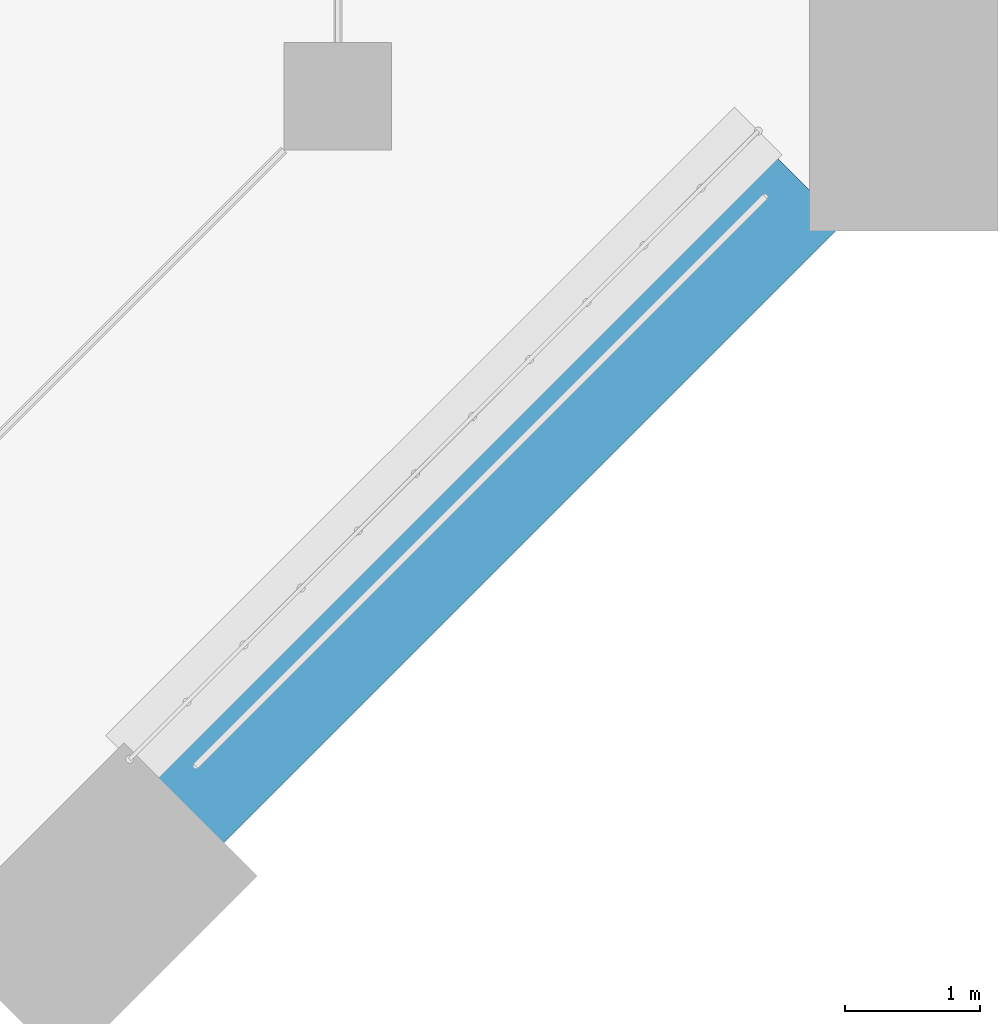
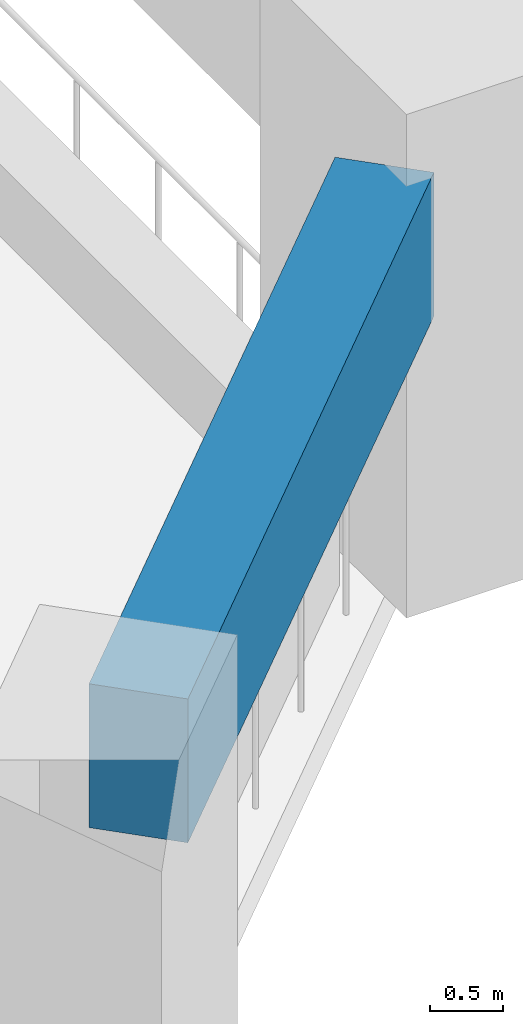
# One storey, part 5 of 20: 1 beam.
"""IFC4 building model written with IfcOpenShell, lengths in metres."""

from ifc_helpers import new_model, si_unit, direction, frame, origin, origin_2d, place, context, subcontext, project, spatial, rectangle, extrude, material, material_profile, profile_set, type_object, element, save


model = new_model("IFC4")

# Units and contexts
model_context = context("Model", 3, precision=1e-05, world=origin(), true_north=direction((0.0, 1.0)))
body_context = subcontext(model_context, "Body", "Model", "MODEL_VIEW")
ifc_project = project(units=[si_unit("LENGTHUNIT", "METRE"), si_unit("AREAUNIT", "SQUARE_METRE"), si_unit("VOLUMEUNIT", "CUBIC_METRE"), si_unit("PLANEANGLEUNIT", "RADIAN"), si_unit("MASSUNIT", "GRAM", prefix="KILO")], contexts=[model_context])

# Site, building, storey
site_placement = place(None, origin())
site = spatial("IfcSite", under=ifc_project, at=site_placement, CompositionType="ELEMENT")
building_placement = place(site_placement, origin())
building = spatial("IfcBuilding", under=site, at=building_placement, Name="Kawkab Arch Medical Tower", CompositionType="ELEMENT")
storey_placement = place(building_placement, frame((0.0, 0.0, 277.60009765625)))
storey = spatial("IfcBuildingStorey", under=building, at=storey_placement, Name="L64", CompositionType="ELEMENT", Elevation=277.60009765625)

# Beam
ifc_material = material(Name="Concrete C40/50", Category="concrete")
ifc_material_profile = material_profile(ifc_material, rectangle(XDim=0.699951171875, YDim=1.199951171875, at=origin_2d()), Name="RC 700x1200")
ifc_profile_set = profile_set([ifc_material_profile], Name="Concrete C40/50")
beam_type = type_object("IfcBeamType", Name="RC 700x1200 beam C40/50", PredefinedType="BEAM", material=ifc_profile_set)
beam_placement = place(storey_placement, frame((62.300048828125, -19.89990234375, 3.0), z_axis=(-0.707106781187, -0.707106781187, 0.0), x_axis=(0.707106781187, -0.707106781187, 0.0)))
element("IfcBeam", 1, at=beam_placement, inside=storey, type_object=beam_type, Name="Terrace frame beam TF-L64-2-L65-04", PredefinedType="BEAM", context=body_context, shape_type="SweptSolid", body=[
    extrude(rectangle(XDim=0.699951171875, YDim=1.199951171875, at=origin_2d()), origin(), (0.0, 0.0, 1.0), 6.49560546875),
])

save(model, "model.ifc")
